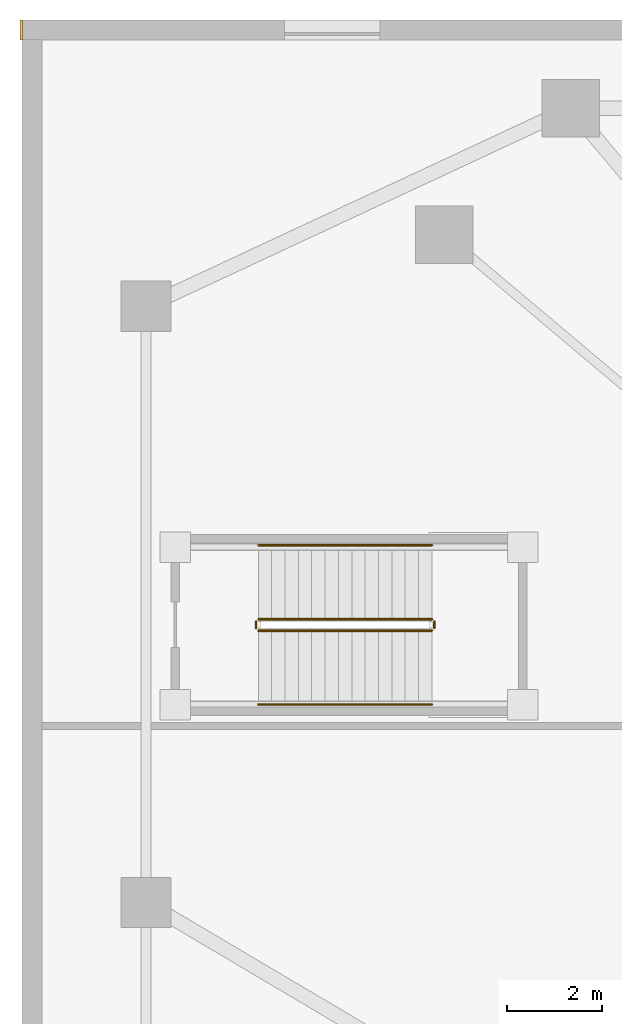
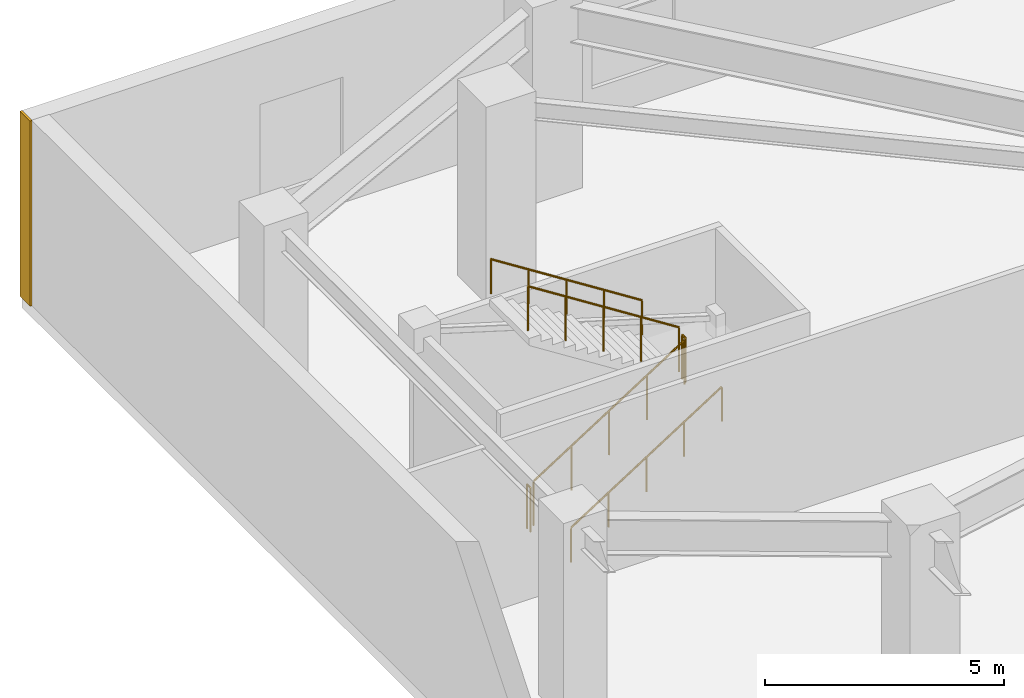
# One storey, part 18 of 20: 6 railings, 1 covering.
"""IFC4 building model written with IfcOpenShell, lengths in metres."""

import ifcopenshell
import ifcopenshell.guid

model = None  # the IFC model being written
_history = None  # IfcOwnerHistory: only IFC2X3 demands one
_inside = {}  # id of a spatial element -> (the spatial element, [elements in it])
_under = {}  # id of a project, library or spatial element -> (it, [spatial elements below it])
_declared = {}  # id of a project -> (the project, [libraries it declares])
_typed = {}  # id of a type object -> (the type object, [elements of that type])
_made_of = {}  # id of a material, layer set ... -> (it, [elements and type objects made of it])


def new_model(schema):
    """Start an empty IFC model of exactly this schema.

    Asked for "IFC4X3", IfcOpenShell would pick the latest addendum, in which some entities
    have other attributes; the version numbers below select the first issue.
    IFC2X3 requires an IfcOwnerHistory on every rooted entity: one is made here for all.
    """
    global model, _history
    if schema == "IFC4X3":
        model = ifcopenshell.file(schema_version=(4, 3, 0, 0))
    else:
        model = ifcopenshell.file(schema=schema)
    _inside.clear()
    _under.clear()
    _declared.clear()
    _typed.clear()
    _made_of.clear()
    _history = None
    if model.schema == "IFC2X3":
        org = make("IfcOrganization", Name="unknown")
        user = make(
            "IfcPersonAndOrganization",
            ThePerson=make("IfcPerson", FamilyName="unknown"),
            TheOrganization=org,
        )
        app = make(
            "IfcApplication",
            ApplicationDeveloper=org,
            Version="unknown",
            ApplicationFullName="unknown",
            ApplicationIdentifier="unknown",
        )
        _history = make(
            "IfcOwnerHistory",
            OwningUser=user,
            OwningApplication=app,
            ChangeAction="ADDED",
            CreationDate=0,
        )
    return model


def make(cls, **values):
    """One entity of the class cls with the attributes given. An attribute that is None is left unset."""
    return model.create_entity(
        cls, **{name: value for name, value in values.items() if value is not None}
    )


def rooted(cls, **values):
    """An entity with a GlobalId (a new one), such as an element, a storey or a relation."""
    return make(cls, GlobalId=ifcopenshell.guid.new(), OwnerHistory=_history, **values)


def si_unit(unit_type, name, prefix=None):
    """IfcSIUnit, for example si_unit("LENGTHUNIT", "METRE", prefix="MILLI")."""
    return make("IfcSIUnit", UnitType=unit_type, Prefix=prefix, Name=name)


def assignment(units):
    """IfcUnitAssignment: the units of a project."""
    return None if units is None else make("IfcUnitAssignment", Units=units)


def point(xyz):
    """IfcCartesianPoint."""
    return None if xyz is None else make("IfcCartesianPoint", Coordinates=xyz)


def direction(xyz):
    """IfcDirection."""
    return None if xyz is None else make("IfcDirection", DirectionRatios=xyz)


def frame(location, z_axis=None, x_axis=None):
    """IfcAxis2Placement3D, a coordinate frame: its origin and axes. An axis left out is left unset."""
    return make(
        "IfcAxis2Placement3D",
        Location=point(location),
        Axis=direction(z_axis),
        RefDirection=direction(x_axis),
    )


def frame_2d(location, x_axis=None):
    """IfcAxis2Placement2D, a coordinate frame in the plane: its origin and x axis."""
    return make(
        "IfcAxis2Placement2D", Location=point(location), RefDirection=direction(x_axis)
    )


def origin():
    """The frame at (0, 0, 0) with its axes left unset."""
    return frame((0.0, 0.0, 0.0))


def origin_2d():
    """The frame at (0, 0) in the plane with its x axis left unset."""
    return frame_2d((0.0, 0.0))


def place(relative_to, where):
    """IfcLocalPlacement: puts the frame where relative to a parent placement (None: the world)."""
    return make(
        "IfcLocalPlacement", PlacementRelTo=relative_to, RelativePlacement=where
    )


def context(
    kind, dimensions, precision=None, world=None, true_north=None, identifier=None
):
    """IfcGeometricRepresentationContext, for example the 3D "Model" context."""
    return make(
        "IfcGeometricRepresentationContext",
        ContextIdentifier=identifier,
        ContextType=kind,
        CoordinateSpaceDimension=dimensions,
        Precision=precision,
        WorldCoordinateSystem=world,
        TrueNorth=true_north,
    )


def subcontext(parent, identifier, kind, view, scale=None):
    """IfcGeometricRepresentationSubContext, for example "Body" below "Model"."""
    return make(
        "IfcGeometricRepresentationSubContext",
        ContextIdentifier=identifier,
        ContextType=kind,
        ParentContext=parent,
        TargetScale=scale,
        TargetView=view,
    )


def project(units=None, contexts=None):
    """IfcProject with its units and contexts."""
    return rooted(
        "IfcProject",
        Name="project",
        RepresentationContexts=contexts,
        UnitsInContext=assignment(units),
    )


def spatial(cls, under=None, at=None, **own):
    """A site, building, storey or space (cls), placed at a placement, below another one or the project."""
    s = rooted(cls, ObjectPlacement=at, **own)
    if under is not None:
        _under.setdefault(under.id(), (under, []))[1].append(s)
    return s


def profile(cls, at=None, kind="AREA", **sizes):
    """A parametric profile (cls). Its sizes go by their IFC names, for example OverallWidth=200.0."""
    return make(cls, ProfileType=kind, Position=at, **sizes)


def rectangle(**sizes):
    """IfcRectangleProfileDef."""
    return profile("IfcRectangleProfileDef", **sizes)


def circle(**sizes):
    """IfcCircleProfileDef."""
    return profile("IfcCircleProfileDef", **sizes)


def extrude(swept, where, along, depth):
    """IfcExtrudedAreaSolid: the profile swept, set in the frame where, extruded along a direction by depth."""
    return make(
        "IfcExtrudedAreaSolid",
        SweptArea=swept,
        Position=where,
        ExtrudedDirection=direction(along),
        Depth=depth,
    )


def shape(context_of_items, identifier, shape_type, items):
    """IfcShapeRepresentation: the items that make up one representation, for example the "Body"."""
    return make(
        "IfcShapeRepresentation",
        ContextOfItems=context_of_items,
        RepresentationIdentifier=identifier,
        RepresentationType=shape_type,
        Items=items,
    )


def material(Name=None, Category=None):
    """IfcMaterial."""
    return make("IfcMaterial", Name=Name, Category=Category)


def layer(
    of_material, thickness, ventilated=None, Name=None, Category=None, Priority=None
):
    """IfcMaterialLayer: one layer of a wall or slab, of a material (None: an air gap)."""
    return make(
        "IfcMaterialLayer",
        Material=of_material,
        LayerThickness=thickness,
        IsVentilated=ventilated,
        Name=Name,
        Category=Category,
        Priority=Priority,
    )


def layer_set(layers, Name=None):
    """IfcMaterialLayerSet."""
    return make("IfcMaterialLayerSet", MaterialLayers=layers, LayerSetName=Name)


def made_of(thing, what):
    """Note that an element or type object is made of a material, layer set ...; save() writes the relation."""
    if what is not None:
        _made_of.setdefault(what.id(), (what, []))[1].append(thing)
    return thing


def type_object(cls, material=None, **own):
    """A type object (cls), such as IfcWallType, which elements share."""
    return made_of(rooted(cls, **own), material)


def element(
    cls,
    number,
    at=None,
    inside=None,
    cuts=None,
    type_object=None,
    material=None,
    context=None,
    identifier="Body",
    shape_type=None,
    held_by="IfcProductDefinitionShape",
    body=None,
    shapes=None,
    **own,
):
    """One element of the class cls, such as IfcWall. Its Tag is "e" and its number.

    at: its placement. inside: the storey or other place that contains it. cuts: it is an
    opening in that element (IfcRelVoidsElement). A single representation is given by context,
    identifier, shape_type and body (its items); several are given by shapes. held_by: the class
    of the entity that holds the representations. save() writes the other relations.
    """
    e = rooted(cls, Tag="e%d" % number, ObjectPlacement=at, **own)
    if body is not None:
        shapes = [shape(context, identifier, shape_type, body)]
    if shapes is not None:
        e.Representation = make(held_by, Representations=shapes)
    if inside is not None:
        _inside.setdefault(inside.id(), (inside, []))[1].append(e)
    if cuts is not None:
        rooted(
            "IfcRelVoidsElement", RelatingBuildingElement=cuts, RelatedOpeningElement=e
        )
    if type_object is not None:
        _typed.setdefault(type_object.id(), (type_object, []))[1].append(e)
    return made_of(e, material)


def aggregate(whole, parts):
    """IfcRelAggregates: a whole, such as a stair, and the parts it consists of."""
    return rooted("IfcRelAggregates", RelatingObject=whole, RelatedObjects=parts)


def save(model, path):
    """Write the relations noted so far, then the file.

    IfcRelAggregates (storeys below a building ...), IfcRelContainedInSpatialStructure (elements
    in a storey), IfcRelDefinesByType, IfcRelAssociatesMaterial and IfcRelDeclares: one each for
    every whole, place, type object, material and project.
    """
    for whole, parts in _under.values():
        aggregate(whole, parts)
    for where, things in _inside.values():
        rooted(
            "IfcRelContainedInSpatialStructure",
            RelatedElements=things,
            RelatingStructure=where,
        )
    for kind, things in _typed.values():
        rooted("IfcRelDefinesByType", RelatedObjects=things, RelatingType=kind)
    for what, things in _made_of.values():
        rooted("IfcRelAssociatesMaterial", RelatedObjects=things, RelatingMaterial=what)
    for by, libraries in _declared.values():
        rooted("IfcRelDeclares", RelatingContext=by, RelatedDefinitions=libraries)
    model.write(path)


model = new_model("IFC4")

# Units and contexts
model_context = context("Model", 3, precision=1e-05, world=origin(), true_north=direction((0.0, 1.0)))
body_context = subcontext(model_context, "Body", "Model", "MODEL_VIEW")
ifc_project = project(units=[si_unit("LENGTHUNIT", "METRE"), si_unit("AREAUNIT", "SQUARE_METRE"), si_unit("VOLUMEUNIT", "CUBIC_METRE"), si_unit("PLANEANGLEUNIT", "RADIAN"), si_unit("MASSUNIT", "GRAM", prefix="KILO")], contexts=[model_context])

# Site, building, storey
site_placement = place(None, origin())
site = spatial("IfcSite", under=ifc_project, at=site_placement, CompositionType="ELEMENT")
building_placement = place(site_placement, origin())
building = spatial("IfcBuilding", under=site, at=building_placement, Name="Cairnveth Concourse Tower", CompositionType="ELEMENT")
storey_placement = place(building_placement, frame((0.0, 0.0, 5.0)))
storey = spatial("IfcBuildingStorey", under=building, at=storey_placement, Name="L01", CompositionType="ELEMENT", Elevation=5.0)

# Covering
ifc_material_1 = material(Name="Dressed Melbourne Bluestone Cladding", Category="masonry")
ifc_layer = layer(ifc_material_1, 0.050048828125)
ifc_layer_set = layer_set([ifc_layer], Name="Dressed Melbourne Bluestone Cladding")
covering_type = type_object("IfcCoveringType", Name="DRESSED BLUESTONE PLINTH CLADDING 50", PredefinedType="CLADDING", material=ifc_layer_set)
covering_placement = place(storey_placement, frame((17.97998046875, 65.580078125, 0.0), z_axis=(0.0, 0.0, 1.0), x_axis=(0.0, 1.0, 0.0)))
element("IfcCovering", 1, at=covering_placement, inside=storey, type_object=covering_type, Name="Melbourne Bluestone Corner Quoin L01-7", PredefinedType="CLADDING", context=body_context, shape_type="SweptSolid", body=[
    extrude(rectangle(XDim=0.419921875, YDim=0.050048828125, at=frame_2d((0.2099609375, 0.0))), origin(), (0.0, 0.0, 1.0), 4.719970703125),
])

# Railings
ifc_material_2 = material(Name="Steel Grade 350", Category="steel")
railing_type_1 = type_object("IfcRailingType", Name="STAIR GUARDRAIL 1150", PredefinedType="GUARDRAIL", material=ifc_material_2)
railing_1_placement = place(storey_placement, frame((22.949951171875, 53.199951171875, 0.178466796875)))
element("IfcRailing", 2, at=railing_1_placement, inside=storey, type_object=railing_type_1, Name="L01 ST-P1 stair guard 1", PredefinedType="GUARDRAIL", context=body_context, shape_type="SweptSolid", body=[
    extrude(circle(Radius=0.02392578125, at=origin_2d()), frame((0.0, 0.0, 1.1259765625), z_axis=(0.843127859045, 0.0, 0.537713132908), x_axis=(0.0, 1.0, 0.0)), (0.0, 0.0, 1.0), 4.3173828125),
    extrude(circle(Radius=0.02099609375, at=origin_2d()), origin(), (0.0, 0.0, 1.0), 1.101806640625),
    extrude(circle(Radius=0.02099609375, at=origin_2d()), frame((0.91015625, 0.0, 0.580322265625)), (0.0, 0.0, 1.0), 1.101806640625),
    extrude(circle(Radius=0.02099609375, at=origin_2d()), frame((1.820068359375, 0.0, 1.16064453125)), (0.0, 0.0, 1.0), 1.101806640625),
    extrude(circle(Radius=0.02099609375, at=origin_2d()), frame((2.72998046875, 0.0, 1.7412109375)), (0.0, 0.0, 1.0), 1.101806640625),
    extrude(circle(Radius=0.02099609375, at=origin_2d()), frame((3.64013671875, 0.0, 2.321533203125)), (0.0, 0.0, 1.0), 1.101806640625),
])
railing_2_placement = place(storey_placement, frame((26.639892578125, 53.25, 2.5)))
element("IfcRailing", 3, at=railing_2_placement, inside=storey, type_object=railing_type_1, Name="L01 ST-P1 stair guard 2", PredefinedType="GUARDRAIL", context=body_context, shape_type="SweptSolid", body=[
    extrude(circle(Radius=0.02392578125, at=origin_2d()), frame((0.0, 0.0, 1.1259765625), z_axis=(0.0, 1.0, 0.0), x_axis=(-1.0, 0.0, 0.0)), (0.0, 0.0, 1.0), 0.139892578125),
    extrude(circle(Radius=0.02099609375, at=origin_2d()), origin(), (0.0, 0.0, 1.0), 1.101806640625),
    extrude(circle(Radius=0.02099609375, at=origin_2d()), frame((0.0, 0.139892578125, 0.0)), (0.0, 0.0, 1.0), 1.101806640625),
])
railing_3_placement = place(storey_placement, frame((26.590087890625, 53.43994140625, 2.678466796875)))
element("IfcRailing", 4, at=railing_3_placement, inside=storey, type_object=railing_type_1, Name="L01 ST-P1 stair guard 3", PredefinedType="GUARDRAIL", context=body_context, shape_type="SweptSolid", body=[
    extrude(circle(Radius=0.02392578125, at=origin_2d()), frame((0.0, 0.0, 1.1259765625), z_axis=(-0.843127859045, 0.0, 0.537713132908), x_axis=(0.0, -1.0, 0.0)), (0.0, 0.0, 1.0), 4.3173828125),
    extrude(circle(Radius=0.02099609375, at=origin_2d()), origin(), (0.0, 0.0, 1.0), 1.101806640625),
    extrude(circle(Radius=0.02099609375, at=origin_2d()), frame((-0.91015625, 0.0, 0.580322265625)), (0.0, 0.0, 1.0), 1.101806640625),
    extrude(circle(Radius=0.02099609375, at=origin_2d()), frame((-1.820068359375, 0.0, 1.16064453125)), (0.0, 0.0, 1.0), 1.101806640625),
    extrude(circle(Radius=0.02099609375, at=origin_2d()), frame((-2.72998046875, 0.0, 1.7412109375)), (0.0, 0.0, 1.0), 1.101806640625),
    extrude(circle(Radius=0.02099609375, at=origin_2d()), frame((-3.64013671875, 0.0, 2.321533203125)), (0.0, 0.0, 1.0), 1.101806640625),
])
railing_4_placement = place(storey_placement, frame((22.89990234375, 53.25, 0.0)))
element("IfcRailing", 5, at=railing_4_placement, inside=storey, type_object=railing_type_1, Name="L01 ST-P1 stair guard 4", PredefinedType="GUARDRAIL", context=body_context, shape_type="SweptSolid", body=[
    extrude(circle(Radius=0.02392578125, at=origin_2d()), frame((0.0, 0.0, 1.1259765625), z_axis=(0.0, 1.0, 0.0), x_axis=(-1.0, 0.0, 0.0)), (0.0, 0.0, 1.0), 0.139892578125),
    extrude(circle(Radius=0.02099609375, at=origin_2d()), origin(), (0.0, 0.0, 1.0), 1.101806640625),
    extrude(circle(Radius=0.02099609375, at=origin_2d()), frame((0.0, 0.139892578125, 0.0)), (0.0, 0.0, 1.0), 1.101806640625),
])
railing_type_2 = type_object("IfcRailingType", Name="STAIR WALL HANDRAIL 900", PredefinedType="HANDRAIL", material=ifc_material_2)
railing_5_placement = place(storey_placement, frame((22.949951171875, 51.64990234375, 0.178466796875)))
element("IfcRailing", 6, at=railing_5_placement, inside=storey, type_object=railing_type_2, Name="L01 ST-P1 stair handrail 1", PredefinedType="HANDRAIL", context=body_context, shape_type="SweptSolid", body=[
    extrude(circle(Radius=0.02392578125, at=origin_2d()), frame((0.0, 0.0, 0.8759765625), z_axis=(0.843127859045, 0.0, 0.537713132908), x_axis=(0.0, 1.0, 0.0)), (0.0, 0.0, 1.0), 4.3173828125),
    extrude(circle(Radius=0.02099609375, at=origin_2d()), origin(), (0.0, 0.0, 1.0), 0.851806640625),
    extrude(circle(Radius=0.02099609375, at=origin_2d()), frame((0.91015625, 0.0, 0.580322265625)), (0.0, 0.0, 1.0), 0.851806640625),
    extrude(circle(Radius=0.02099609375, at=origin_2d()), frame((1.820068359375, 0.0, 1.16064453125)), (0.0, 0.0, 1.0), 0.851806640625),
    extrude(circle(Radius=0.02099609375, at=origin_2d()), frame((2.72998046875, 0.0, 1.7412109375)), (0.0, 0.0, 1.0), 0.851806640625),
    extrude(circle(Radius=0.02099609375, at=origin_2d()), frame((3.64013671875, 0.0, 2.321533203125)), (0.0, 0.0, 1.0), 0.851806640625),
])
railing_6_placement = place(storey_placement, frame((26.590087890625, 54.989990234375, 2.678466796875)))
element("IfcRailing", 7, at=railing_6_placement, inside=storey, type_object=railing_type_2, Name="L01 ST-P1 stair handrail 2", PredefinedType="HANDRAIL", context=body_context, shape_type="SweptSolid", body=[
    extrude(circle(Radius=0.02392578125, at=origin_2d()), frame((0.0, 0.0, 0.8759765625), z_axis=(-0.843127859045, 0.0, 0.537713132908), x_axis=(0.0, -1.0, 0.0)), (0.0, 0.0, 1.0), 4.3173828125),
    extrude(circle(Radius=0.02099609375, at=origin_2d()), origin(), (0.0, 0.0, 1.0), 0.851806640625),
    extrude(circle(Radius=0.02099609375, at=origin_2d()), frame((-0.91015625, 0.0, 0.580322265625)), (0.0, 0.0, 1.0), 0.851806640625),
    extrude(circle(Radius=0.02099609375, at=origin_2d()), frame((-1.820068359375, 0.0, 1.16064453125)), (0.0, 0.0, 1.0), 0.851806640625),
    extrude(circle(Radius=0.02099609375, at=origin_2d()), frame((-2.72998046875, 0.0, 1.7412109375)), (0.0, 0.0, 1.0), 0.851806640625),
    extrude(circle(Radius=0.02099609375, at=origin_2d()), frame((-3.64013671875, 0.0, 2.321533203125)), (0.0, 0.0, 1.0), 0.851806640625),
])

save(model, "model.ifc")
